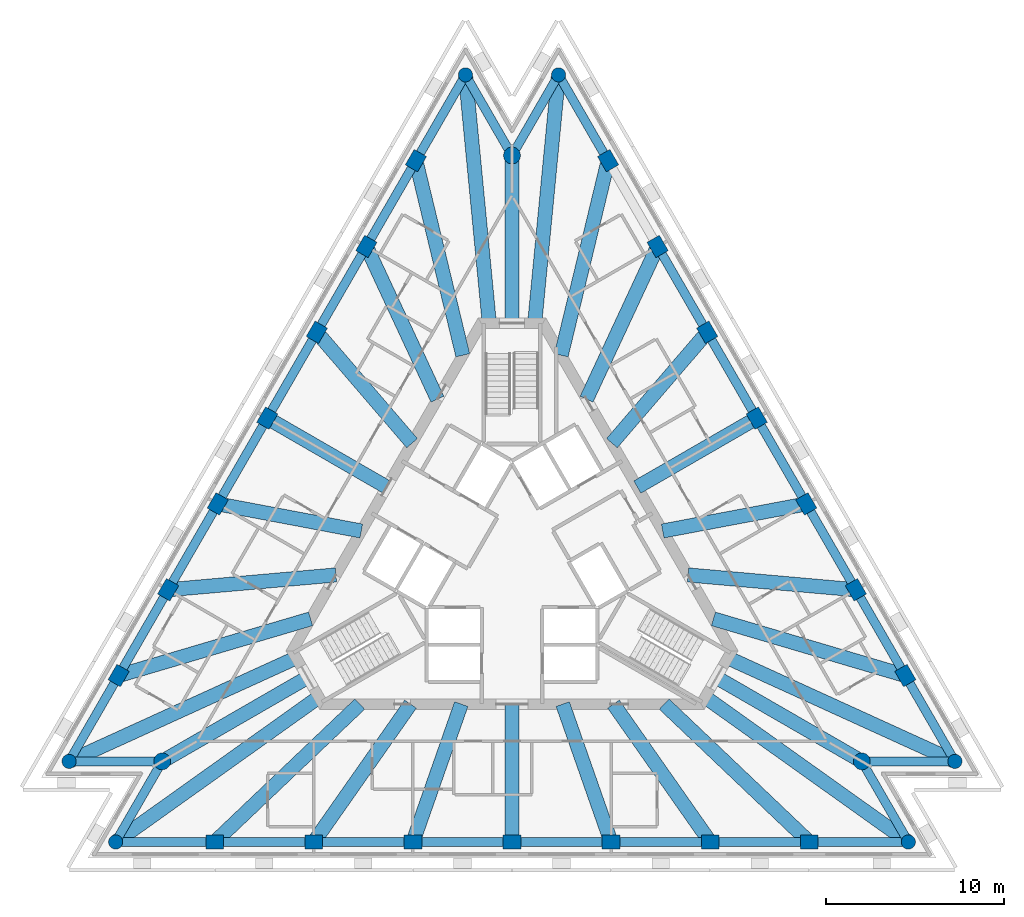
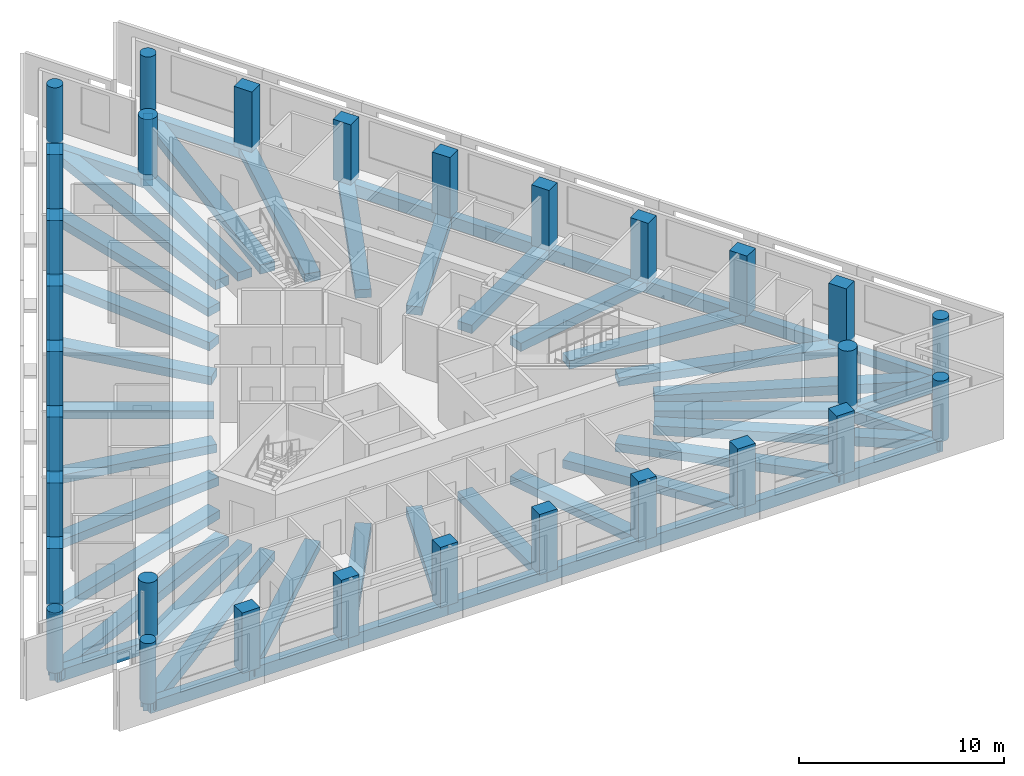
# One storey, part 1 of 10: 59 beams, 30 columns.
"""IFC4 building model written with IfcOpenShell, lengths in metres."""

import ifcopenshell
import ifcopenshell.guid

model = None  # the IFC model being written
_history = None  # IfcOwnerHistory: only IFC2X3 demands one
_inside = {}  # id of a spatial element -> (the spatial element, [elements in it])
_under = {}  # id of a project, library or spatial element -> (it, [spatial elements below it])
_declared = {}  # id of a project -> (the project, [libraries it declares])
_typed = {}  # id of a type object -> (the type object, [elements of that type])
_made_of = {}  # id of a material, layer set ... -> (it, [elements and type objects made of it])


def new_model(schema):
    """Start an empty IFC model of exactly this schema.

    Asked for "IFC4X3", IfcOpenShell would pick the latest addendum, in which some entities
    have other attributes; the version numbers below select the first issue.
    IFC2X3 requires an IfcOwnerHistory on every rooted entity: one is made here for all.
    """
    global model, _history
    if schema == "IFC4X3":
        model = ifcopenshell.file(schema_version=(4, 3, 0, 0))
    else:
        model = ifcopenshell.file(schema=schema)
    _inside.clear()
    _under.clear()
    _declared.clear()
    _typed.clear()
    _made_of.clear()
    _history = None
    if model.schema == "IFC2X3":
        org = make("IfcOrganization", Name="unknown")
        user = make(
            "IfcPersonAndOrganization",
            ThePerson=make("IfcPerson", FamilyName="unknown"),
            TheOrganization=org,
        )
        app = make(
            "IfcApplication",
            ApplicationDeveloper=org,
            Version="unknown",
            ApplicationFullName="unknown",
            ApplicationIdentifier="unknown",
        )
        _history = make(
            "IfcOwnerHistory",
            OwningUser=user,
            OwningApplication=app,
            ChangeAction="ADDED",
            CreationDate=0,
        )
    return model


def make(cls, **values):
    """One entity of the class cls with the attributes given. An attribute that is None is left unset."""
    return model.create_entity(
        cls, **{name: value for name, value in values.items() if value is not None}
    )


def rooted(cls, **values):
    """An entity with a GlobalId (a new one), such as an element, a storey or a relation."""
    return make(cls, GlobalId=ifcopenshell.guid.new(), OwnerHistory=_history, **values)


def si_unit(unit_type, name, prefix=None):
    """IfcSIUnit, for example si_unit("LENGTHUNIT", "METRE", prefix="MILLI")."""
    return make("IfcSIUnit", UnitType=unit_type, Prefix=prefix, Name=name)


def assignment(units):
    """IfcUnitAssignment: the units of a project."""
    return None if units is None else make("IfcUnitAssignment", Units=units)


def point(xyz):
    """IfcCartesianPoint."""
    return None if xyz is None else make("IfcCartesianPoint", Coordinates=xyz)


def direction(xyz):
    """IfcDirection."""
    return None if xyz is None else make("IfcDirection", DirectionRatios=xyz)


def frame(location, z_axis=None, x_axis=None):
    """IfcAxis2Placement3D, a coordinate frame: its origin and axes. An axis left out is left unset."""
    return make(
        "IfcAxis2Placement3D",
        Location=point(location),
        Axis=direction(z_axis),
        RefDirection=direction(x_axis),
    )


def frame_2d(location, x_axis=None):
    """IfcAxis2Placement2D, a coordinate frame in the plane: its origin and x axis."""
    return make(
        "IfcAxis2Placement2D", Location=point(location), RefDirection=direction(x_axis)
    )


def origin():
    """The frame at (0, 0, 0) with its axes left unset."""
    return frame((0.0, 0.0, 0.0))


def origin_2d():
    """The frame at (0, 0) in the plane with its x axis left unset."""
    return frame_2d((0.0, 0.0))


def place(relative_to, where):
    """IfcLocalPlacement: puts the frame where relative to a parent placement (None: the world)."""
    return make(
        "IfcLocalPlacement", PlacementRelTo=relative_to, RelativePlacement=where
    )


def context(
    kind, dimensions, precision=None, world=None, true_north=None, identifier=None
):
    """IfcGeometricRepresentationContext, for example the 3D "Model" context."""
    return make(
        "IfcGeometricRepresentationContext",
        ContextIdentifier=identifier,
        ContextType=kind,
        CoordinateSpaceDimension=dimensions,
        Precision=precision,
        WorldCoordinateSystem=world,
        TrueNorth=true_north,
    )


def subcontext(parent, identifier, kind, view, scale=None):
    """IfcGeometricRepresentationSubContext, for example "Body" below "Model"."""
    return make(
        "IfcGeometricRepresentationSubContext",
        ContextIdentifier=identifier,
        ContextType=kind,
        ParentContext=parent,
        TargetScale=scale,
        TargetView=view,
    )


def project(units=None, contexts=None):
    """IfcProject with its units and contexts."""
    return rooted(
        "IfcProject",
        Name="project",
        RepresentationContexts=contexts,
        UnitsInContext=assignment(units),
    )


def spatial(cls, under=None, at=None, **own):
    """A site, building, storey or space (cls), placed at a placement, below another one or the project."""
    s = rooted(cls, ObjectPlacement=at, **own)
    if under is not None:
        _under.setdefault(under.id(), (under, []))[1].append(s)
    return s


def profile(cls, at=None, kind="AREA", **sizes):
    """A parametric profile (cls). Its sizes go by their IFC names, for example OverallWidth=200.0."""
    return make(cls, ProfileType=kind, Position=at, **sizes)


def rectangle(**sizes):
    """IfcRectangleProfileDef."""
    return profile("IfcRectangleProfileDef", **sizes)


def circle(**sizes):
    """IfcCircleProfileDef."""
    return profile("IfcCircleProfileDef", **sizes)


def extrude(swept, where, along, depth):
    """IfcExtrudedAreaSolid: the profile swept, set in the frame where, extruded along a direction by depth."""
    return make(
        "IfcExtrudedAreaSolid",
        SweptArea=swept,
        Position=where,
        ExtrudedDirection=direction(along),
        Depth=depth,
    )


def shape(context_of_items, identifier, shape_type, items):
    """IfcShapeRepresentation: the items that make up one representation, for example the "Body"."""
    return make(
        "IfcShapeRepresentation",
        ContextOfItems=context_of_items,
        RepresentationIdentifier=identifier,
        RepresentationType=shape_type,
        Items=items,
    )


def material(Name=None, Category=None):
    """IfcMaterial."""
    return make("IfcMaterial", Name=Name, Category=Category)


def material_profile(
    of_material, cross_section, Name=None, Category=None, Priority=None
):
    """IfcMaterialProfile: a cross section and its material."""
    return make(
        "IfcMaterialProfile",
        Name=Name,
        Material=of_material,
        Profile=cross_section,
        Priority=Priority,
        Category=Category,
    )


def profile_set(profiles, Name=None, composite=None):
    """IfcMaterialProfileSet."""
    return make(
        "IfcMaterialProfileSet",
        Name=Name,
        MaterialProfiles=profiles,
        CompositeProfile=composite,
    )


def made_of(thing, what):
    """Note that an element or type object is made of a material, layer set ...; save() writes the relation."""
    if what is not None:
        _made_of.setdefault(what.id(), (what, []))[1].append(thing)
    return thing


def type_object(cls, material=None, **own):
    """A type object (cls), such as IfcWallType, which elements share."""
    return made_of(rooted(cls, **own), material)


def element(
    cls,
    number,
    at=None,
    inside=None,
    cuts=None,
    type_object=None,
    material=None,
    context=None,
    identifier="Body",
    shape_type=None,
    held_by="IfcProductDefinitionShape",
    body=None,
    shapes=None,
    **own,
):
    """One element of the class cls, such as IfcWall. Its Tag is "e" and its number.

    at: its placement. inside: the storey or other place that contains it. cuts: it is an
    opening in that element (IfcRelVoidsElement). A single representation is given by context,
    identifier, shape_type and body (its items); several are given by shapes. held_by: the class
    of the entity that holds the representations. save() writes the other relations.
    """
    e = rooted(cls, Tag="e%d" % number, ObjectPlacement=at, **own)
    if body is not None:
        shapes = [shape(context, identifier, shape_type, body)]
    if shapes is not None:
        e.Representation = make(held_by, Representations=shapes)
    if inside is not None:
        _inside.setdefault(inside.id(), (inside, []))[1].append(e)
    if cuts is not None:
        rooted(
            "IfcRelVoidsElement", RelatingBuildingElement=cuts, RelatedOpeningElement=e
        )
    if type_object is not None:
        _typed.setdefault(type_object.id(), (type_object, []))[1].append(e)
    return made_of(e, material)


def aggregate(whole, parts):
    """IfcRelAggregates: a whole, such as a stair, and the parts it consists of."""
    return rooted("IfcRelAggregates", RelatingObject=whole, RelatedObjects=parts)


def save(model, path):
    """Write the relations noted so far, then the file.

    IfcRelAggregates (storeys below a building ...), IfcRelContainedInSpatialStructure (elements
    in a storey), IfcRelDefinesByType, IfcRelAssociatesMaterial and IfcRelDeclares: one each for
    every whole, place, type object, material and project.
    """
    for whole, parts in _under.values():
        aggregate(whole, parts)
    for where, things in _inside.values():
        rooted(
            "IfcRelContainedInSpatialStructure",
            RelatedElements=things,
            RelatingStructure=where,
        )
    for kind, things in _typed.values():
        rooted("IfcRelDefinesByType", RelatedObjects=things, RelatingType=kind)
    for what, things in _made_of.values():
        rooted("IfcRelAssociatesMaterial", RelatedObjects=things, RelatingMaterial=what)
    for by, libraries in _declared.values():
        rooted("IfcRelDeclares", RelatingContext=by, RelatedDefinitions=libraries)
    model.write(path)


model = new_model("IFC4")

# Units and contexts
model_context = context("Model", 3, precision=1e-05, world=origin(), true_north=direction((0.0, 1.0)))
body_context = subcontext(model_context, "Body", "Model", "MODEL_VIEW")
ifc_project = project(units=[si_unit("LENGTHUNIT", "METRE"), si_unit("AREAUNIT", "SQUARE_METRE"), si_unit("VOLUMEUNIT", "CUBIC_METRE"), si_unit("PLANEANGLEUNIT", "RADIAN"), si_unit("MASSUNIT", "GRAM", prefix="KILO")], contexts=[model_context])

# Site, building, storey
site_placement = place(None, origin())
site = spatial("IfcSite", under=ifc_project, at=site_placement, CompositionType="ELEMENT")
building_placement = place(site_placement, origin())
building = spatial("IfcBuilding", under=site, at=building_placement, Name="Triada Interchange Tower", CompositionType="ELEMENT")
storey_placement = place(building_placement, frame((0.0, 0.0, 271.89990234375)))
storey = spatial("IfcBuildingStorey", under=building, at=storey_placement, Name="L63", CompositionType="ELEMENT", Elevation=271.89990234375)

# Columns
ifc_material_1 = material(Name="Concrete C40/50", Category="concrete")
ifc_material_profile_1 = material_profile(ifc_material_1, rectangle(XDim=1.0, YDim=0.800048828125, at=origin_2d()), Name="RC 1000x800")
ifc_profile_set_1 = profile_set([ifc_material_profile_1], Name="Concrete C40/50")
column_type_1 = type_object("IfcColumnType", Name="Column D face RC 1000x800", PredefinedType="COLUMN", material=ifc_profile_set_1)
for number, where, z_axis, x_axis, name in (
    (1, (-5.4130859375, 22.458984375, -0.2998046875), (0.0, 0.0, 1.0), (0.5, 0.866025403784, 0.0), "Column CD02 L63"),
    (2, (-8.202880859375, 17.6259765625, -0.2998046875), (0.0, 0.0, 1.0), (0.5, 0.866025403784, 0.0), "Column CD03 L63"),
    (3, (-10.993896484375, 12.7919921875, -0.2998046875), (0.0, 0.0, 1.0), (0.5, 0.866025403784, 0.0), "Column CD04 L63"),
    (4, (-13.783935546875, 7.958984375, -0.2998046875), (0.0, 0.0, 1.0), (0.5, 0.866025403784, 0.0), "Column CD05 L63"),
    (5, (-16.574951171875, 3.125, -0.2998046875), (0.0, 0.0, 1.0), (0.5, 0.866025403784, 0.0), "Column CD06 L63"),
    (6, (-19.365966796875, -1.708984375, -0.2998046875), (0.0, 0.0, 1.0), (0.5, 0.866025403784, 0.0), "Column CD07 L63"),
    (7, (-22.156005859375, -6.5419921875, -0.2998046875), (0.0, 0.0, 1.0), (0.5, 0.866025403784, 0.0), "Column CD08 L63"),
    (8, (-16.7451171875, -15.9169921875, -0.2998046875), (0.0, 0.0, 1.0), (1.0, 0.0, 0.0), "Column CD11 L63"),
    (9, (-11.1630859375, -15.9169921875, -0.2998046875), (0.0, 0.0, 1.0), (1.0, 0.0, 0.0), "Column CD12 L63"),
    (10, (-5.5810546875, -15.9169921875, -0.2998046875), (0.0, 0.0, 1.0), (1.0, 0.0, 0.0), "Column CD13 L63"),
    (11, (0.0, -15.9169921875, -0.2998046875), (0.0, 0.0, 1.0), (1.0, 0.0, 0.0), "Column CD14 L63"),
    (12, (5.5810546875, -15.9169921875, -0.2998046875), (0.0, 0.0, 1.0), (1.0, 0.0, 0.0), "Column CD15 L63"),
    (13, (11.1630859375, -15.9169921875, -0.2998046875), (0.0, 0.0, 1.0), (1.0, 0.0, 0.0), "Column CD16 L63"),
    (14, (16.7451171875, -15.9169921875, -0.2998046875), (0.0, 0.0, 1.0), (1.0, 0.0, 0.0), "Column CD17 L63"),
    (15, (22.156005859375, -6.5419921875, -0.2998046875), (0.0, 0.0, 1.0), (-0.5, 0.866025403784, 0.0), "Column CD20 L63"),
    (16, (19.365966796875, -1.708984375, -0.2998046875), (0.0, 0.0, 1.0), (-0.5, 0.866025403784, 0.0), "Column CD21 L63"),
    (17, (16.574951171875, 3.125, -0.2998046875), (0.0, 0.0, 1.0), (-0.5, 0.866025403784, 0.0), "Column CD22 L63"),
    (18, (13.783935546875, 7.9580078125, -0.2998046875), (0.0, 0.0, 1.0), (-0.5, 0.866025403784, 0.0), "Column CD23 L63"),
    (19, (10.993896484375, 12.7919921875, -0.2998046875), (0.0, 0.0, 1.0), (-0.5, 0.866025403784, 0.0), "Column CD24 L63"),
    (20, (8.202880859375, 17.6259765625, -0.2998046875), (0.0, 0.0, 1.0), (-0.5, 0.866025403784, 0.0), "Column CD25 L63"),
    (21, (5.4130859375, 22.458984375, -0.2998046875), (0.0, 0.0, 1.0), (-0.5, 0.866025403784, 0.0), "Column CD26 L63"),
):
    element("IfcColumn", number, at=place(storey_placement, frame(where, z_axis=z_axis, x_axis=x_axis)), inside=storey, type_object=column_type_1, Name=name, PredefinedType="COLUMN", context=body_context, shape_type="SweptSolid", body=[
        extrude(rectangle(XDim=1.0, YDim=0.800048828125, at=origin_2d()), origin(), (0.0, 0.0, 1.0), 3.599853515625),
    ])
ifc_material_profile_2 = material_profile(ifc_material_1, circle(Radius=0.39990234375, at=origin_2d()), Name="RC D800")
ifc_profile_set_2 = profile_set([ifc_material_profile_2], Name="Concrete C40/50")
column_type_2 = type_object("IfcColumnType", Name="End column D RC D800", PredefinedType="COLUMN", material=ifc_profile_set_2)
for number, where, z_axis, x_axis, name in (
    (22, (-2.6220703125, 27.29296875, -0.2998046875), (0.0, 0.0, 1.0), (0.5, 0.866025403784, 0.0), "Column CD01 L63"),
    (23, (-24.947021484375, -11.3759765625, -0.2998046875), (0.0, 0.0, 1.0), (0.5, 0.866025403784, 0.0), "Column CD09 L63"),
    (24, (-22.325927734375, -15.9169921875, -0.2998046875), (0.0, 0.0, 1.0), (1.0, 0.0, 0.0), "Column CD10 L63"),
    (25, (22.325927734375, -15.9169921875, -0.2998046875), (0.0, 0.0, 1.0), (1.0, 0.0, 0.0), "Column CD18 L63"),
    (26, (24.947021484375, -11.3759765625, -0.2998046875), (0.0, 0.0, 1.0), (-0.5, 0.866025403784, 0.0), "Column CD19 L63"),
    (27, (2.6220703125, 27.29296875, -0.2998046875), (0.0, 0.0, 1.0), (-0.5, 0.866025403784, 0.0), "Column CD27 L63"),
):
    element("IfcColumn", number, at=place(storey_placement, frame(where, z_axis=z_axis, x_axis=x_axis)), inside=storey, type_object=column_type_2, Name=name, PredefinedType="COLUMN", context=body_context, shape_type="SweptSolid", body=[
        extrude(circle(Radius=0.39990234375, at=origin_2d()), origin(), (0.0, 0.0, 1.0), 3.599853515625),
    ])
ifc_material_profile_3 = material_profile(ifc_material_1, circle(Radius=0.47509765625, at=origin_2d()), Name="RC D950")
ifc_profile_set_3 = profile_set([ifc_material_profile_3], Name="Concrete C40/50")
column_type_3 = type_object("IfcColumnType", Name="Mega column D RC D950", PredefinedType="COLUMN", material=ifc_profile_set_3)
for number, where, z_axis, x_axis, name in (
    (28, (0.0, 22.7529296875, -0.2998046875), (0.0, 0.0, 1.0), (1.0, 0.0, 0.0), "Column MD1 L63"),
    (29, (-19.7041015625, -11.3759765625, -0.2998046875), (0.0, 0.0, 1.0), (1.0, 0.0, 0.0), "Column MD2 L63"),
    (30, (19.7041015625, -11.3759765625, -0.2998046875), (0.0, 0.0, 1.0), (1.0, 0.0, 0.0), "Column MD3 L63"),
):
    element("IfcColumn", number, at=place(storey_placement, frame(where, z_axis=z_axis, x_axis=x_axis)), inside=storey, type_object=column_type_3, Name=name, PredefinedType="COLUMN", context=body_context, shape_type="SweptSolid", body=[
        extrude(circle(Radius=0.47509765625, at=origin_2d()), origin(), (0.0, 0.0, 1.0), 3.599853515625),
    ])

# Beams
ifc_material_2 = material(Name="Concrete C50/60", Category="concrete")
ifc_material_profile_4 = material_profile(ifc_material_2, rectangle(XDim=0.800048828125, YDim=0.5, at=origin_2d()), Name="RC 800x500")
ifc_profile_set_4 = profile_set([ifc_material_profile_4], Name="Concrete C50/60")
beam_type_1 = type_object("IfcBeamType", Name="Radial band beam D RC 800x500", PredefinedType="BEAM", material=ifc_profile_set_4)
beam_1_placement = place(storey_placement, frame((-5.4130859375, 22.458984375, -0.5498046875), z_axis=(0.234272173426, -0.972171049126, 0.0), x_axis=(0.972171049126, 0.234272173426, 0.0)))
element("IfcBeam", 31, at=beam_1_placement, inside=storey, type_object=beam_type_1, Name="Radial band beam BD02 L63", PredefinedType="BEAM", context=body_context, shape_type="SweptSolid", body=[
    extrude(rectangle(XDim=0.800048828125, YDim=0.5, at=origin_2d()), origin(), (0.0, 0.0, 1.0), 11.273681640625),
])
beam_2_placement = place(storey_placement, frame((-8.202880859375, 17.6259765625, -0.5498046875), z_axis=(0.421941327944, -0.906623138781, 0.0), x_axis=(0.906623138781, 0.421941327944, 0.0)))
element("IfcBeam", 32, at=beam_2_placement, inside=storey, type_object=beam_type_1, Name="Radial band beam BD03 L63", PredefinedType="BEAM", context=body_context, shape_type="SweptSolid", body=[
    extrude(rectangle(XDim=0.800048828125, YDim=0.5, at=origin_2d()), origin(), (0.0, 0.0, 1.0), 9.48681640625),
])
beam_3_placement = place(storey_placement, frame((-10.993896484375, 12.7919921875, -0.5498046875), z_axis=(0.651824057833, -0.758370224647, 0.0), x_axis=(0.758370224647, 0.651824057833, 0.0)))
element("IfcBeam", 33, at=beam_3_placement, inside=storey, type_object=beam_type_1, Name="Radial band beam BD04 L63", PredefinedType="BEAM", context=body_context, shape_type="SweptSolid", body=[
    extrude(rectangle(XDim=0.800048828125, YDim=0.5, at=origin_2d()), origin(), (0.0, 0.0, 1.0), 8.230712890625),
])
beam_4_placement = place(storey_placement, frame((-13.783935546875, 7.958984375, -0.5498046875), z_axis=(0.865976705992, -0.500084337567, 0.0), x_axis=(0.500084337567, 0.865976705992, 0.0)))
element("IfcBeam", 34, at=beam_4_placement, inside=storey, type_object=beam_type_1, Name="Radial band beam BD05 L63", PredefinedType="BEAM", context=body_context, shape_type="SweptSolid", body=[
    extrude(rectangle(XDim=0.800048828125, YDim=0.5, at=origin_2d()), origin(), (0.0, 0.0, 1.0), 7.766845703125),
])
beam_5_placement = place(storey_placement, frame((-16.574951171875, 3.125, -0.5498046875), z_axis=(0.982686321987, -0.185277069764, 0.0), x_axis=(0.185277069764, 0.982686321987, 0.0)))
element("IfcBeam", 35, at=beam_5_placement, inside=storey, type_object=beam_type_1, Name="Radial band beam BD06 L63", PredefinedType="BEAM", context=body_context, shape_type="SweptSolid", body=[
    extrude(rectangle(XDim=0.800048828125, YDim=0.5, at=origin_2d()), origin(), (0.0, 0.0, 1.0), 8.23046875),
])
beam_6_placement = place(storey_placement, frame((-19.365966796875, -1.708984375, -0.5498046875), z_axis=(0.996128325651, 0.087911084828, 0.0), x_axis=(-0.087911084828, 0.996128325651, 0.0)))
element("IfcBeam", 36, at=beam_6_placement, inside=storey, type_object=beam_type_1, Name="Radial band beam BD07 L63", PredefinedType="BEAM", context=body_context, shape_type="SweptSolid", body=[
    extrude(rectangle(XDim=0.800048828125, YDim=0.5, at=origin_2d()), origin(), (0.0, 0.0, 1.0), 9.486572265625),
])
beam_7_placement = place(storey_placement, frame((-22.156005859375, -6.5419921875, -0.5498046875), z_axis=(0.959072530335, 0.283160522596, 0.0), x_axis=(-0.283160522596, 0.959072530335, 0.0)))
element("IfcBeam", 37, at=beam_7_placement, inside=storey, type_object=beam_type_1, Name="Radial band beam BD08 L63", PredefinedType="BEAM", context=body_context, shape_type="SweptSolid", body=[
    extrude(rectangle(XDim=0.800048828125, YDim=0.5, at=origin_2d()), origin(), (0.0, 0.0, 1.0), 11.2724609375),
])
beam_8_placement = place(storey_placement, frame((-19.7041015625, -11.3759765625, -0.5498046875), z_axis=(0.866031605588, 0.499989258007, 0.0), x_axis=(-0.499989258007, 0.866031605588, 0.0)))
element("IfcBeam", 38, at=beam_8_placement, inside=storey, type_object=beam_type_1, Name="Radial band beam BD10 L63", PredefinedType="BEAM", context=body_context, shape_type="SweptSolid", body=[
    extrude(rectangle(XDim=0.800048828125, YDim=0.5, at=origin_2d()), origin(), (0.0, 0.0, 1.0), 9.452392578125),
])
beam_9_placement = place(storey_placement, frame((-16.7451171875, -15.9169921875, -0.5498046875), z_axis=(0.724799890409, 0.688959446457, 0.0), x_axis=(-0.688959446457, 0.724799890409, 0.0)))
element("IfcBeam", 39, at=beam_9_placement, inside=storey, type_object=beam_type_1, Name="Radial band beam BD12 L63", PredefinedType="BEAM", context=body_context, shape_type="SweptSolid", body=[
    extrude(rectangle(XDim=0.800048828125, YDim=0.5, at=origin_2d()), origin(), (0.0, 0.0, 1.0), 11.273681640625),
])
beam_10_placement = place(storey_placement, frame((-11.1630859375, -15.9169921875, -0.5498046875), z_axis=(0.574173726859, 0.818733492282, 0.0), x_axis=(-0.818733492282, 0.574173726859, 0.0)))
element("IfcBeam", 40, at=beam_10_placement, inside=storey, type_object=beam_type_1, Name="Radial band beam BD13 L63", PredefinedType="BEAM", context=body_context, shape_type="SweptSolid", body=[
    extrude(rectangle(XDim=0.800048828125, YDim=0.5, at=origin_2d()), origin(), (0.0, 0.0, 1.0), 9.48681640625),
])
beam_11_placement = place(storey_placement, frame((-5.5810546875, -15.9169921875, -0.5498046875), z_axis=(0.330855101794, 0.943681567912, 0.0), x_axis=(-0.943681567912, 0.330855101794, 0.0)))
element("IfcBeam", 41, at=beam_11_placement, inside=storey, type_object=beam_type_1, Name="Radial band beam BD14 L63", PredefinedType="BEAM", context=body_context, shape_type="SweptSolid", body=[
    extrude(rectangle(XDim=0.800048828125, YDim=0.5, at=origin_2d()), origin(), (0.0, 0.0, 1.0), 8.230712890625),
])
beam_12_placement = place(storey_placement, frame((0.0, -15.9169921875, -0.5498046875), z_axis=(0.0, 1.0, 0.0), x_axis=(-1.0, 0.0, 0.0)))
element("IfcBeam", 42, at=beam_12_placement, inside=storey, type_object=beam_type_1, Name="Radial band beam BD15 L63", PredefinedType="BEAM", context=body_context, shape_type="SweptSolid", body=[
    extrude(rectangle(XDim=0.800048828125, YDim=0.5, at=origin_2d()), origin(), (0.0, 0.0, 1.0), 7.76708984375),
])
beam_13_placement = place(storey_placement, frame((5.5810546875, -15.9169921875, -0.5498046875), z_axis=(-0.330855101794, 0.943681567912, 0.0), x_axis=(-0.943681567912, -0.330855101794, 0.0)))
element("IfcBeam", 43, at=beam_13_placement, inside=storey, type_object=beam_type_1, Name="Radial band beam BD16 L63", PredefinedType="BEAM", context=body_context, shape_type="SweptSolid", body=[
    extrude(rectangle(XDim=0.800048828125, YDim=0.5, at=origin_2d()), origin(), (0.0, 0.0, 1.0), 8.230712890625),
])
beam_14_placement = place(storey_placement, frame((11.1630859375, -15.9169921875, -0.5498046875), z_axis=(-0.574173726859, 0.818733492282, 0.0), x_axis=(-0.818733492282, -0.574173726859, 0.0)))
element("IfcBeam", 44, at=beam_14_placement, inside=storey, type_object=beam_type_1, Name="Radial band beam BD17 L63", PredefinedType="BEAM", context=body_context, shape_type="SweptSolid", body=[
    extrude(rectangle(XDim=0.800048828125, YDim=0.5, at=origin_2d()), origin(), (0.0, 0.0, 1.0), 9.48681640625),
])
beam_15_placement = place(storey_placement, frame((16.7451171875, -15.9169921875, -0.5498046875), z_axis=(-0.724799890409, 0.688959446457, 0.0), x_axis=(-0.688959446457, -0.724799890409, 0.0)))
element("IfcBeam", 45, at=beam_15_placement, inside=storey, type_object=beam_type_1, Name="Radial band beam BD18 L63", PredefinedType="BEAM", context=body_context, shape_type="SweptSolid", body=[
    extrude(rectangle(XDim=0.800048828125, YDim=0.5, at=origin_2d()), origin(), (0.0, 0.0, 1.0), 11.273681640625),
])
beam_16_placement = place(storey_placement, frame((19.7041015625, -11.3759765625, -0.5498046875), z_axis=(-0.866031605588, 0.499989258007, 0.0), x_axis=(-0.499989258007, -0.866031605588, 0.0)))
element("IfcBeam", 46, at=beam_16_placement, inside=storey, type_object=beam_type_1, Name="Radial band beam BD20 L63", PredefinedType="BEAM", context=body_context, shape_type="SweptSolid", body=[
    extrude(rectangle(XDim=0.800048828125, YDim=0.5, at=origin_2d()), origin(), (0.0, 0.0, 1.0), 9.452392578125),
])
beam_17_placement = place(storey_placement, frame((22.156005859375, -6.5419921875, -0.5498046875), z_axis=(-0.959072530335, 0.283160522596, 0.0), x_axis=(-0.283160522596, -0.959072530335, 0.0)))
element("IfcBeam", 47, at=beam_17_placement, inside=storey, type_object=beam_type_1, Name="Radial band beam BD22 L63", PredefinedType="BEAM", context=body_context, shape_type="SweptSolid", body=[
    extrude(rectangle(XDim=0.800048828125, YDim=0.5, at=origin_2d()), origin(), (0.0, 0.0, 1.0), 11.2724609375),
])
beam_18_placement = place(storey_placement, frame((19.365966796875, -1.708984375, -0.5498046875), z_axis=(-0.996128325651, 0.087911084828, 0.0), x_axis=(-0.087911084828, -0.996128325651, 0.0)))
element("IfcBeam", 48, at=beam_18_placement, inside=storey, type_object=beam_type_1, Name="Radial band beam BD23 L63", PredefinedType="BEAM", context=body_context, shape_type="SweptSolid", body=[
    extrude(rectangle(XDim=0.800048828125, YDim=0.5, at=origin_2d()), origin(), (0.0, 0.0, 1.0), 9.486572265625),
])
beam_19_placement = place(storey_placement, frame((16.574951171875, 3.125, -0.5498046875), z_axis=(-0.982686321987, -0.185277069764, 0.0), x_axis=(0.185277069764, -0.982686321987, 0.0)))
element("IfcBeam", 49, at=beam_19_placement, inside=storey, type_object=beam_type_1, Name="Radial band beam BD24 L63", PredefinedType="BEAM", context=body_context, shape_type="SweptSolid", body=[
    extrude(rectangle(XDim=0.800048828125, YDim=0.5, at=origin_2d()), origin(), (0.0, 0.0, 1.0), 8.23046875),
])
beam_20_placement = place(storey_placement, frame((13.783935546875, 7.9580078125, -0.5498046875), z_axis=(-0.866031155779, -0.499990037121, 0.0), x_axis=(0.499990037121, -0.866031155779, 0.0)))
element("IfcBeam", 50, at=beam_20_placement, inside=storey, type_object=beam_type_1, Name="Radial band beam BD25 L63", PredefinedType="BEAM", context=body_context, shape_type="SweptSolid", body=[
    extrude(rectangle(XDim=0.800048828125, YDim=0.5, at=origin_2d()), origin(), (0.0, 0.0, 1.0), 7.766357421875),
])
beam_21_placement = place(storey_placement, frame((10.993896484375, 12.7919921875, -0.5498046875), z_axis=(-0.651824057833, -0.758370224647, 0.0), x_axis=(0.758370224647, -0.651824057833, 0.0)))
element("IfcBeam", 51, at=beam_21_placement, inside=storey, type_object=beam_type_1, Name="Radial band beam BD26 L63", PredefinedType="BEAM", context=body_context, shape_type="SweptSolid", body=[
    extrude(rectangle(XDim=0.800048828125, YDim=0.5, at=origin_2d()), origin(), (0.0, 0.0, 1.0), 8.230712890625),
])
beam_22_placement = place(storey_placement, frame((8.202880859375, 17.6259765625, -0.5498046875), z_axis=(-0.421941327944, -0.906623138781, 0.0), x_axis=(0.906623138781, -0.421941327944, 0.0)))
element("IfcBeam", 52, at=beam_22_placement, inside=storey, type_object=beam_type_1, Name="Radial band beam BD27 L63", PredefinedType="BEAM", context=body_context, shape_type="SweptSolid", body=[
    extrude(rectangle(XDim=0.800048828125, YDim=0.5, at=origin_2d()), origin(), (0.0, 0.0, 1.0), 9.48681640625),
])
beam_23_placement = place(storey_placement, frame((5.4130859375, 22.458984375, -0.5498046875), z_axis=(-0.234272173426, -0.972171049126, 0.0), x_axis=(0.972171049126, -0.234272173426, 0.0)))
element("IfcBeam", 53, at=beam_23_placement, inside=storey, type_object=beam_type_1, Name="Radial band beam BD28 L63", PredefinedType="BEAM", context=body_context, shape_type="SweptSolid", body=[
    extrude(rectangle(XDim=0.800048828125, YDim=0.5, at=origin_2d()), origin(), (0.0, 0.0, 1.0), 11.273681640625),
])
beam_24_placement = place(storey_placement, frame((0.0, 22.7529296875, -0.5498046875), z_axis=(0.0, -1.0, 0.0), x_axis=(1.0, 0.0, 0.0)))
element("IfcBeam", 54, at=beam_24_placement, inside=storey, type_object=beam_type_1, Name="Radial band beam BD30 L63", PredefinedType="BEAM", context=body_context, shape_type="SweptSolid", body=[
    extrude(rectangle(XDim=0.800048828125, YDim=0.5, at=origin_2d()), origin(), (0.0, 0.0, 1.0), 9.452880859375),
])
ifc_material_profile_5 = material_profile(ifc_material_2, rectangle(XDim=0.800048828125, YDim=0.550048828125, at=origin_2d()), Name="RC 800x550")
ifc_profile_set_5 = profile_set([ifc_material_profile_5], Name="Concrete C50/60")
beam_type_2 = type_object("IfcBeamType", Name="Radial band beam D RC 800x550", PredefinedType="BEAM", material=ifc_profile_set_5)
beam_25_placement = place(storey_placement, frame((-2.6220703125, 27.29296875, -0.574951171875), z_axis=(0.095608162853, -0.995419047033, 0.0), x_axis=(0.995419047033, 0.095608162853, 0.0)))
element("IfcBeam", 55, at=beam_25_placement, inside=storey, type_object=beam_type_2, Name="Radial band beam BD01 L63", PredefinedType="BEAM", context=body_context, shape_type="SweptSolid", body=[
    extrude(rectangle(XDim=0.800048828125, YDim=0.550048828125, at=origin_2d()), origin(), (0.0, 0.0, 1.0), 14.057373046875),
])
beam_26_placement = place(storey_placement, frame((-24.947021484375, -11.3759765625, -0.574951171875), z_axis=(0.909873343628, 0.414886127216, 0.0), x_axis=(-0.414886127216, 0.909873343628, 0.0)))
element("IfcBeam", 56, at=beam_26_placement, inside=storey, type_object=beam_type_2, Name="Radial band beam BD09 L63", PredefinedType="BEAM", context=body_context, shape_type="SweptSolid", body=[
    extrude(rectangle(XDim=0.800048828125, YDim=0.550048828125, at=origin_2d()), origin(), (0.0, 0.0, 1.0), 14.056884765625),
])
for number, where, z_axis, x_axis, name in (
    (57, (-22.325927734375, -15.9169921875, -0.574951171875), (0.814256478941, 0.580505285507, 0.0), (-0.580505285507, 0.814256478941, 0.0), "Radial band beam BD11 L63"),
    (58, (22.325927734375, -15.9169921875, -0.574951171875), (-0.814256478941, 0.580505285507, 0.0), (-0.580505285507, -0.814256478941, 0.0), "Radial band beam BD19 L63"),
):
    element("IfcBeam", number, at=place(storey_placement, frame(where, z_axis=z_axis, x_axis=x_axis)), inside=storey, type_object=beam_type_2, Name=name, PredefinedType="BEAM", context=body_context, shape_type="SweptSolid", body=[
        extrude(rectangle(XDim=0.800048828125, YDim=0.550048828125, at=origin_2d()), origin(), (0.0, 0.0, 1.0), 14.058349609375),
    ])
beam_27_placement = place(storey_placement, frame((24.947021484375, -11.3759765625, -0.574951171875), z_axis=(-0.909873343628, 0.414886127216, 0.0), x_axis=(-0.414886127216, -0.909873343628, 0.0)))
element("IfcBeam", 59, at=beam_27_placement, inside=storey, type_object=beam_type_2, Name="Radial band beam BD21 L63", PredefinedType="BEAM", context=body_context, shape_type="SweptSolid", body=[
    extrude(rectangle(XDim=0.800048828125, YDim=0.550048828125, at=origin_2d()), origin(), (0.0, 0.0, 1.0), 14.056884765625),
])
beam_28_placement = place(storey_placement, frame((2.6220703125, 27.29296875, -0.574951171875), z_axis=(-0.095608162853, -0.995419047033, 0.0), x_axis=(0.995419047033, -0.095608162853, 0.0)))
element("IfcBeam", 60, at=beam_28_placement, inside=storey, type_object=beam_type_2, Name="Radial band beam BD29 L63", PredefinedType="BEAM", context=body_context, shape_type="SweptSolid", body=[
    extrude(rectangle(XDim=0.800048828125, YDim=0.550048828125, at=origin_2d()), origin(), (0.0, 0.0, 1.0), 14.057373046875),
])
ifc_material_profile_6 = material_profile(ifc_material_2, rectangle(XDim=0.5, YDim=0.699951171875, at=origin_2d()), Name="RC 500x700")
ifc_profile_set_6 = profile_set([ifc_material_profile_6], Name="Concrete C50/60")
beam_type_3 = type_object("IfcBeamType", Name="Spandrel beam D RC 500x700", PredefinedType="BEAM", material=ifc_profile_set_6)
beam_29_placement = place(storey_placement, frame((-2.6220703125, 27.29296875, -0.64990234375), z_axis=(-0.5000152428, -0.866016603171, 0.0), x_axis=(0.866016603171, -0.5000152428, 0.0)))
element("IfcBeam", 61, at=beam_29_placement, inside=storey, type_object=beam_type_3, Name="Spandrel beam ED01 L63", PredefinedType="BEAM", context=body_context, shape_type="SweptSolid", body=[
    extrude(rectangle(XDim=0.5, YDim=0.699951171875, at=origin_2d()), origin(), (0.0, 0.0, 1.0), 5.581787109375),
])
beam_30_placement = place(storey_placement, frame((-5.4130859375, 22.458984375, -0.64990234375), z_axis=(-0.499926960557, -0.86606756902, 0.0), x_axis=(0.86606756902, -0.499926960557, 0.0)))
element("IfcBeam", 62, at=beam_30_placement, inside=storey, type_object=beam_type_3, Name="Spandrel beam ED02 L63", PredefinedType="BEAM", context=body_context, shape_type="SweptSolid", body=[
    extrude(rectangle(XDim=0.5, YDim=0.699951171875, at=origin_2d()), origin(), (0.0, 0.0, 1.0), 5.580322265625),
])
beam_31_placement = place(storey_placement, frame((-8.202880859375, 17.6259765625, -0.64990234375), z_axis=(-0.5000152428, -0.866016603171, 0.0), x_axis=(0.866016603171, -0.5000152428, 0.0)))
element("IfcBeam", 63, at=beam_31_placement, inside=storey, type_object=beam_type_3, Name="Spandrel beam ED03 L63", PredefinedType="BEAM", context=body_context, shape_type="SweptSolid", body=[
    extrude(rectangle(XDim=0.5, YDim=0.699951171875, at=origin_2d()), origin(), (0.0, 0.0, 1.0), 5.581787109375),
])
beam_32_placement = place(storey_placement, frame((-10.993896484375, 12.7919921875, -0.64990234375), z_axis=(-0.499959774894, -0.866048626514, 0.0), x_axis=(0.866048626514, -0.499959774894, 0.0)))
element("IfcBeam", 64, at=beam_32_placement, inside=storey, type_object=beam_type_3, Name="Spandrel beam ED04 L63", PredefinedType="BEAM", context=body_context, shape_type="SweptSolid", body=[
    extrude(rectangle(XDim=0.5, YDim=0.699951171875, at=origin_2d()), origin(), (0.0, 0.0, 1.0), 5.58056640625),
])
for number, where, z_axis, x_axis, name in (
    (65, (-13.783935546875, 7.958984375, -0.64990234375), (-0.5000152428, -0.866016603171, 0.0), (0.866016603171, -0.5000152428, 0.0), "Spandrel beam ED05 L63"),
    (66, (-16.574951171875, 3.125, -0.64990234375), (-0.5000152428, -0.866016603171, 0.0), (0.866016603171, -0.5000152428, 0.0), "Spandrel beam ED06 L63"),
):
    element("IfcBeam", number, at=place(storey_placement, frame(where, z_axis=z_axis, x_axis=x_axis)), inside=storey, type_object=beam_type_3, Name=name, PredefinedType="BEAM", context=body_context, shape_type="SweptSolid", body=[
        extrude(rectangle(XDim=0.5, YDim=0.699951171875, at=origin_2d()), origin(), (0.0, 0.0, 1.0), 5.581787109375),
    ])
beam_33_placement = place(storey_placement, frame((-19.365966796875, -1.708984375, -0.64990234375), z_axis=(-0.499959774894, -0.866048626514, 0.0), x_axis=(0.866048626514, -0.499959774894, 0.0)))
element("IfcBeam", 67, at=beam_33_placement, inside=storey, type_object=beam_type_3, Name="Spandrel beam ED07 L63", PredefinedType="BEAM", context=body_context, shape_type="SweptSolid", body=[
    extrude(rectangle(XDim=0.5, YDim=0.699951171875, at=origin_2d()), origin(), (0.0, 0.0, 1.0), 5.58056640625),
])
beam_34_placement = place(storey_placement, frame((-22.156005859375, -6.5419921875, -0.64990234375), z_axis=(-0.5000152428, -0.866016603171, 0.0), x_axis=(0.866016603171, -0.5000152428, 0.0)))
element("IfcBeam", 68, at=beam_34_placement, inside=storey, type_object=beam_type_3, Name="Spandrel beam ED08 L63", PredefinedType="BEAM", context=body_context, shape_type="SweptSolid", body=[
    extrude(rectangle(XDim=0.5, YDim=0.699951171875, at=origin_2d()), origin(), (0.0, 0.0, 1.0), 5.581787109375),
])
beam_35_placement = place(storey_placement, frame((-24.947021484375, -11.3759765625, -0.64990234375), z_axis=(1.0, 0.0, 0.0), x_axis=(0.0, 1.0, 0.0)))
element("IfcBeam", 69, at=beam_35_placement, inside=storey, type_object=beam_type_3, Name="Spandrel beam ED09 L63", PredefinedType="BEAM", context=body_context, shape_type="SweptSolid", body=[
    extrude(rectangle(XDim=0.5, YDim=0.699951171875, at=origin_2d()), origin(), (0.0, 0.0, 1.0), 5.242919921875),
])
beam_36_placement = place(storey_placement, frame((-19.7041015625, -11.3759765625, -0.64990234375), z_axis=(-0.500009951967, -0.866019657937, 0.0), x_axis=(0.866019657937, -0.500009951967, 0.0)))
element("IfcBeam", 70, at=beam_36_placement, inside=storey, type_object=beam_type_3, Name="Spandrel beam ED10 L63", PredefinedType="BEAM", context=body_context, shape_type="SweptSolid", body=[
    extrude(rectangle(XDim=0.5, YDim=0.699951171875, at=origin_2d()), origin(), (0.0, 0.0, 1.0), 5.24365234375),
])
beam_37_placement = place(storey_placement, frame((-22.325927734375, -15.9169921875, -0.64990234375), z_axis=(1.0, 0.0, 0.0), x_axis=(0.0, 1.0, 0.0)))
element("IfcBeam", 71, at=beam_37_placement, inside=storey, type_object=beam_type_3, Name="Spandrel beam ED11 L63", PredefinedType="BEAM", context=body_context, shape_type="SweptSolid", body=[
    extrude(rectangle(XDim=0.5, YDim=0.699951171875, at=origin_2d()), origin(), (0.0, 0.0, 1.0), 5.580810546875),
])
for number, where, z_axis, x_axis, name in (
    (72, (-16.7451171875, -15.9169921875, -0.64990234375), (1.0, 0.0, 0.0), (0.0, 1.0, 0.0), "Spandrel beam ED12 L63"),
    (73, (-11.1630859375, -15.9169921875, -0.64990234375), (1.0, 0.0, 0.0), (0.0, 1.0, 0.0), "Spandrel beam ED13 L63"),
):
    element("IfcBeam", number, at=place(storey_placement, frame(where, z_axis=z_axis, x_axis=x_axis)), inside=storey, type_object=beam_type_3, Name=name, PredefinedType="BEAM", context=body_context, shape_type="SweptSolid", body=[
        extrude(rectangle(XDim=0.5, YDim=0.699951171875, at=origin_2d()), origin(), (0.0, 0.0, 1.0), 5.58203125),
    ])
for number, where, z_axis, x_axis, name in (
    (74, (-5.5810546875, -15.9169921875, -0.64990234375), (1.0, 0.0, 0.0), (0.0, 1.0, 0.0), "Spandrel beam ED14 L63"),
    (75, (0.0, -15.9169921875, -0.64990234375), (1.0, 0.0, 0.0), (0.0, 1.0, 0.0), "Spandrel beam ED15 L63"),
):
    element("IfcBeam", number, at=place(storey_placement, frame(where, z_axis=z_axis, x_axis=x_axis)), inside=storey, type_object=beam_type_3, Name=name, PredefinedType="BEAM", context=body_context, shape_type="SweptSolid", body=[
        extrude(rectangle(XDim=0.5, YDim=0.699951171875, at=origin_2d()), origin(), (0.0, 0.0, 1.0), 5.5810546875),
    ])
for number, where, z_axis, x_axis, name in (
    (76, (5.5810546875, -15.9169921875, -0.64990234375), (1.0, 0.0, 0.0), (0.0, 1.0, 0.0), "Spandrel beam ED16 L63"),
    (77, (11.1630859375, -15.9169921875, -0.64990234375), (1.0, 0.0, 0.0), (0.0, 1.0, 0.0), "Spandrel beam ED17 L63"),
):
    element("IfcBeam", number, at=place(storey_placement, frame(where, z_axis=z_axis, x_axis=x_axis)), inside=storey, type_object=beam_type_3, Name=name, PredefinedType="BEAM", context=body_context, shape_type="SweptSolid", body=[
        extrude(rectangle(XDim=0.5, YDim=0.699951171875, at=origin_2d()), origin(), (0.0, 0.0, 1.0), 5.58203125),
    ])
beam_38_placement = place(storey_placement, frame((16.7451171875, -15.9169921875, -0.64990234375), z_axis=(1.0, 0.0, 0.0), x_axis=(0.0, 1.0, 0.0)))
element("IfcBeam", 78, at=beam_38_placement, inside=storey, type_object=beam_type_3, Name="Spandrel beam ED18 L63", PredefinedType="BEAM", context=body_context, shape_type="SweptSolid", body=[
    extrude(rectangle(XDim=0.5, YDim=0.699951171875, at=origin_2d()), origin(), (0.0, 0.0, 1.0), 5.580810546875),
])
beam_39_placement = place(storey_placement, frame((22.325927734375, -15.9169921875, -0.64990234375), z_axis=(-0.500009951967, 0.866019657937, 0.0), x_axis=(-0.866019657937, -0.500009951967, 0.0)))
element("IfcBeam", 79, at=beam_39_placement, inside=storey, type_object=beam_type_3, Name="Spandrel beam ED19 L63", PredefinedType="BEAM", context=body_context, shape_type="SweptSolid", body=[
    extrude(rectangle(XDim=0.5, YDim=0.699951171875, at=origin_2d()), origin(), (0.0, 0.0, 1.0), 5.24365234375),
])
beam_40_placement = place(storey_placement, frame((19.7041015625, -11.3759765625, -0.64990234375), z_axis=(1.0, 0.0, 0.0), x_axis=(0.0, 1.0, 0.0)))
element("IfcBeam", 80, at=beam_40_placement, inside=storey, type_object=beam_type_3, Name="Spandrel beam ED20 L63", PredefinedType="BEAM", context=body_context, shape_type="SweptSolid", body=[
    extrude(rectangle(XDim=0.5, YDim=0.699951171875, at=origin_2d()), origin(), (0.0, 0.0, 1.0), 5.242919921875),
])
beam_41_placement = place(storey_placement, frame((24.947021484375, -11.3759765625, -0.64990234375), z_axis=(-0.5000152428, 0.866016603171, 0.0), x_axis=(-0.866016603171, -0.5000152428, 0.0)))
element("IfcBeam", 81, at=beam_41_placement, inside=storey, type_object=beam_type_3, Name="Spandrel beam ED21 L63", PredefinedType="BEAM", context=body_context, shape_type="SweptSolid", body=[
    extrude(rectangle(XDim=0.5, YDim=0.699951171875, at=origin_2d()), origin(), (0.0, 0.0, 1.0), 5.581787109375),
])
beam_42_placement = place(storey_placement, frame((22.156005859375, -6.5419921875, -0.64990234375), z_axis=(-0.499959774894, 0.866048626514, 0.0), x_axis=(-0.866048626514, -0.499959774894, 0.0)))
element("IfcBeam", 82, at=beam_42_placement, inside=storey, type_object=beam_type_3, Name="Spandrel beam ED22 L63", PredefinedType="BEAM", context=body_context, shape_type="SweptSolid", body=[
    extrude(rectangle(XDim=0.5, YDim=0.699951171875, at=origin_2d()), origin(), (0.0, 0.0, 1.0), 5.58056640625),
])
beam_43_placement = place(storey_placement, frame((19.365966796875, -1.708984375, -0.64990234375), z_axis=(-0.5000152428, 0.866016603171, 0.0), x_axis=(-0.866016603171, -0.5000152428, 0.0)))
element("IfcBeam", 83, at=beam_43_placement, inside=storey, type_object=beam_type_3, Name="Spandrel beam ED23 L63", PredefinedType="BEAM", context=body_context, shape_type="SweptSolid", body=[
    extrude(rectangle(XDim=0.5, YDim=0.699951171875, at=origin_2d()), origin(), (0.0, 0.0, 1.0), 5.581787109375),
])
beam_44_placement = place(storey_placement, frame((16.574951171875, 3.125, -0.64990234375), z_axis=(-0.500091010712, 0.865972852349, 0.0), x_axis=(-0.865972852349, -0.500091010712, 0.0)))
element("IfcBeam", 84, at=beam_44_placement, inside=storey, type_object=beam_type_3, Name="Spandrel beam ED24 L63", PredefinedType="BEAM", context=body_context, shape_type="SweptSolid", body=[
    extrude(rectangle(XDim=0.5, YDim=0.699951171875, at=origin_2d()), origin(), (0.0, 0.0, 1.0), 5.5810546875),
])
beam_45_placement = place(storey_placement, frame((13.783935546875, 7.9580078125, -0.64990234375), z_axis=(-0.499884013612, 0.866092358201, 0.0), x_axis=(-0.866092358201, -0.499884013612, 0.0)))
element("IfcBeam", 85, at=beam_45_placement, inside=storey, type_object=beam_type_3, Name="Spandrel beam ED25 L63", PredefinedType="BEAM", context=body_context, shape_type="SweptSolid", body=[
    extrude(rectangle(XDim=0.5, YDim=0.699951171875, at=origin_2d()), origin(), (0.0, 0.0, 1.0), 5.581298828125),
])
for number, where, z_axis, x_axis, name in (
    (86, (10.993896484375, 12.7919921875, -0.64990234375), (-0.5000152428, 0.866016603171, 0.0), (-0.866016603171, -0.5000152428, 0.0), "Spandrel beam ED26 L63"),
    (87, (5.4130859375, 22.458984375, -0.64990234375), (-0.5000152428, 0.866016603171, 0.0), (-0.866016603171, -0.5000152428, 0.0), "Spandrel beam ED28 L63"),
):
    element("IfcBeam", number, at=place(storey_placement, frame(where, z_axis=z_axis, x_axis=x_axis)), inside=storey, type_object=beam_type_3, Name=name, PredefinedType="BEAM", context=body_context, shape_type="SweptSolid", body=[
        extrude(rectangle(XDim=0.5, YDim=0.699951171875, at=origin_2d()), origin(), (0.0, 0.0, 1.0), 5.581787109375),
    ])
for number, where, z_axis, x_axis, name in (
    (88, (2.6220703125, 27.29296875, -0.64990234375), (-0.500125528844, -0.865952917541, 0.0), (0.865952917541, -0.500125528844, 0.0), "Spandrel beam ED29 L63"),
    (89, (0.0, 22.7529296875, -0.64990234375), (-0.500125528844, 0.865952917541, 0.0), (-0.865952917541, -0.500125528844, 0.0), "Spandrel beam ED30 L63"),
):
    element("IfcBeam", number, at=place(storey_placement, frame(where, z_axis=z_axis, x_axis=x_axis)), inside=storey, type_object=beam_type_3, Name=name, PredefinedType="BEAM", context=body_context, shape_type="SweptSolid", body=[
        extrude(rectangle(XDim=0.5, YDim=0.699951171875, at=origin_2d()), origin(), (0.0, 0.0, 1.0), 5.242919921875),
    ])

save(model, "model.ifc")
